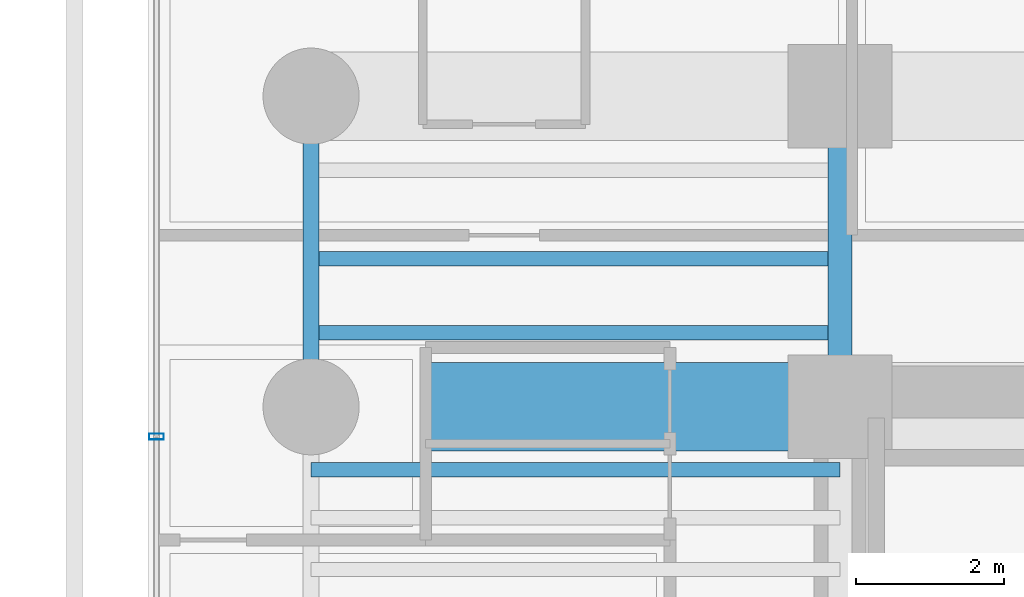
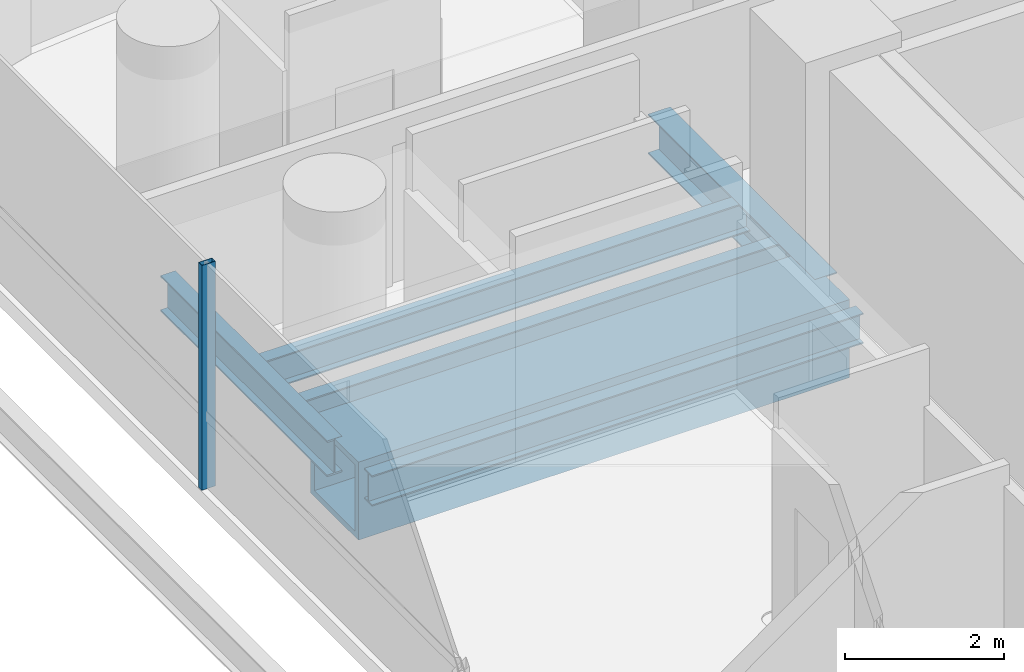
# One storey, part 11 of 50: 6 beams, 1 member, 1 element without a shape of its own.
"""IFC4 building model written with IfcOpenShell, lengths in metres."""

from ifc_helpers import new_model, si_unit, direction, frame, origin, origin_2d, place, context, subcontext, project, spatial, hollow_rectangle, i_section, extrude, source, transform, mapped, material, material_profile, profile_set, type_object, element, aggregate, save


model = new_model("IFC4")

# Units and contexts
model_context = context("Model", 3, precision=1e-05, world=origin(), true_north=direction((0.0, 1.0)))
body_context = subcontext(model_context, "Body", "Model", "MODEL_VIEW")
ifc_project = project(units=[si_unit("LENGTHUNIT", "METRE"), si_unit("AREAUNIT", "SQUARE_METRE"), si_unit("VOLUMEUNIT", "CUBIC_METRE"), si_unit("PLANEANGLEUNIT", "RADIAN"), si_unit("MASSUNIT", "GRAM", prefix="KILO")], contexts=[model_context])

# Site, building, storey
site_placement = place(None, origin())
site = spatial("IfcSite", under=ifc_project, at=site_placement, CompositionType="ELEMENT")
building_placement = place(site_placement, origin())
building = spatial("IfcBuilding", under=site, at=building_placement, Name="Valdorenza Pilgrim Sanctuary Tower", CompositionType="ELEMENT")
storey_placement = place(building_placement, frame((0.0, 0.0, 26.0)))
storey = spatial("IfcBuildingStorey", under=building, at=storey_placement, Name="L05", CompositionType="ELEMENT", Elevation=26.0)

# Beams
ifc_material_1 = material(Name="Steel ASTM A992 Grade 50", Category="steel")
ifc_material_profile_1 = material_profile(ifc_material_1, i_section(OverallWidth=0.214111328125, OverallDepth=0.549072265625, WebThickness=0.0146484375, FlangeThickness=0.023681640625, at=origin_2d()), Name="W21X93")
ifc_profile_set_1 = profile_set([ifc_material_profile_1], Name="Steel ASTM A992 Grade 50")
beam_type_1 = type_object("IfcBeamType", Name="STR-BM-SPN-W21A", PredefinedType="SPANDREL", material=ifc_profile_set_1)
shared_shape_1 = source(origin(), body_context, "Body", "SweptSolid", [
    extrude(i_section(OverallWidth=0.214111328125, OverallDepth=0.549072265625, WebThickness=0.0146484375, FlangeThickness=0.023681640625, at=origin_2d()), origin(), (0.0, 0.0, 1.0), 4.199951171875),
])
beam_1_placement = place(storey_placement, frame((-29.800048828125, 10.60009765625, -0.514404296875), z_axis=(0.0, 1.0, 0.0), x_axis=(-1.0, 0.0, 0.0)))
element("IfcBeam", 1, at=beam_1_placement, inside=storey, type_object=beam_type_1, Name="L05 Spandrel Beam WA-W-N1N2", PredefinedType="SPANDREL", context=body_context, shape_type="MappedRepresentation", body=[
    mapped(shared_shape_1, transform((0.0, 0.0, 0.0), x_axis=(1.0, 0.0, 0.0), y_axis=(0.0, 1.0, 0.0), z_axis=(0.0, 0.0, 1.0), scale=1.0)),
])
ifc_material_profile_2 = material_profile(ifc_material_1, i_section(OverallWidth=0.323974609375, OverallDepth=0.611083984375, WebThickness=0.0126953125, FlangeThickness=0.01904296875, at=origin_2d()), Name="W24X104")
ifc_profile_set_2 = profile_set([ifc_material_profile_2], Name="Steel ASTM A992 Grade 50")
beam_type_2 = type_object("IfcBeamType", Name="STR-BM-GRD-W24B", PredefinedType="BEAM", material=ifc_profile_set_2)
shared_shape_2 = source(origin(), body_context, "Body", "SweptSolid", [
    extrude(i_section(OverallWidth=0.323974609375, OverallDepth=0.611083984375, WebThickness=0.0126953125, FlangeThickness=0.01904296875, at=origin_2d()), origin(), (0.0, 0.0, 1.0), 4.199951171875),
])
beam_2_placement = place(storey_placement, frame((-22.64990234375, 10.60009765625, -0.54541015625), z_axis=(0.0, 1.0, 0.0), x_axis=(-1.0, 0.0, 0.0)))
element("IfcBeam", 2, at=beam_2_placement, inside=storey, type_object=beam_type_2, Name="L05 Core Tie Girder CA-W-N1N2", PredefinedType="BEAM", context=body_context, shape_type="MappedRepresentation", body=[
    mapped(shared_shape_2, transform((0.0, 0.0, 0.0), x_axis=(1.0, 0.0, 0.0), y_axis=(0.0, 1.0, 0.0), z_axis=(0.0, 0.0, 1.0), scale=1.0)),
])
ifc_material_profile_3 = material_profile(ifc_material_1, i_section(OverallWidth=0.193115234375, OverallDepth=0.466064453125, WebThickness=0.011474609375, FlangeThickness=0.01904296875, at=origin_2d()), Name="W18X65")
ifc_profile_set_3 = profile_set([ifc_material_profile_3], Name="Steel ASTM A992 Grade 50")
beam_type_3 = type_object("IfcBeamType", Name="STR-BM-JST-W18A", PredefinedType="JOIST", material=ifc_profile_set_3)
shared_shape_3 = source(origin(), body_context, "Body", "SweptSolid", [
    extrude(i_section(OverallWidth=0.193115234375, OverallDepth=0.466064453125, WebThickness=0.011474609375, FlangeThickness=0.01904296875, at=origin_2d()), origin(), (0.0, 0.0, 1.0), 7.150146484375),
])
for number, where, z_axis, x_axis, name in (
    (3, (-29.800048828125, 9.75, -0.472900390625), (1.0, 0.0, 0.0), (0.0, 1.0, 0.0), "L05 Composite Floor Joist JST-WA-23"),
    (4, (-29.800048828125, 11.60009765625, -0.472900390625), (1.0, 0.0, 0.0), (0.0, 1.0, 0.0), "L05 Composite Floor Joist JST-WA-24"),
    (5, (-29.800048828125, 12.60009765625, -0.472900390625), (1.0, 0.0, 0.0), (0.0, 1.0, 0.0), "L05 Composite Floor Joist JST-WA-25"),
):
    element("IfcBeam", number, at=place(storey_placement, frame(where, z_axis=z_axis, x_axis=x_axis)), inside=storey, type_object=beam_type_3, Name=name, PredefinedType="JOIST", context=body_context, shape_type="MappedRepresentation", body=[
        mapped(shared_shape_3, transform((0.0, 0.0, 0.0), x_axis=(1.0, 0.0, 0.0), y_axis=(0.0, 1.0, 0.0), z_axis=(0.0, 0.0, 1.0), scale=1.0)),
    ])
ifc_material_2 = material(Name="Steel ASTM A572 Grade 42", Category="steel")
ifc_material_profile_4 = material_profile(ifc_material_2, hollow_rectangle(XDim=1.199951171875, YDim=1.199951171875, WallThickness=0.090087890625, at=origin_2d()), Name="BOX 1200x1200x90")
ifc_profile_set_4 = profile_set([ifc_material_profile_4], Name="Steel ASTM A572 Grade 42")
beam_type_4 = type_object("IfcBeamType", Name="STR-BM-TRF-1200", PredefinedType="BEAM", material=ifc_profile_set_4)
shared_shape_4 = source(origin(), body_context, "Body", "SweptSolid", [
    extrude(hollow_rectangle(XDim=1.199951171875, YDim=1.199951171875, WallThickness=0.090087890625, at=origin_2d()), origin(), (0.0, 0.0, 1.0), 7.150146484375),
])
beam_3_placement = place(storey_placement, frame((-29.800048828125, 10.60009765625, -0.840087890625), z_axis=(1.0, 0.0, 0.0), x_axis=(0.0, 1.0, 0.0)))
element("IfcBeam", 6, at=beam_3_placement, inside=storey, type_object=beam_type_4, Name="L05 Transfer Girder WA-XW-N1", PredefinedType="BEAM", context=body_context, shape_type="MappedRepresentation", body=[
    mapped(shared_shape_4, transform((0.0, 0.0, 0.0), x_axis=(1.0, 0.0, 0.0), y_axis=(0.0, 1.0, 0.0), z_axis=(0.0, 0.0, 1.0), scale=1.0)),
])

# Curtain wall, member
ifc_material_3 = material(Name="Curtain-wall IGU glazing", Category="glass")
curtain_wall_type = type_object("IfcCurtainWallType", Name="CW-SYS-02", PredefinedType="NOTDEFINED", material=ifc_material_3)
curtain_wall_placement = place(storey_placement, origin())
curtain_wall = element("IfcCurtainWall", 7, at=curtain_wall_placement, inside=storey, type_object=curtain_wall_type, Name="L05 Curtain Wall CW-L05-1-1S2", PredefinedType="NOTDEFINED")
ifc_material_4 = material(Name="Anodised aluminium AW-6060", Category="aluminium")
ifc_material_profile_5 = material_profile(ifc_material_4, hollow_rectangle(XDim=0.0849609375, YDim=0.199951171875, WallThickness=0.0048828125, at=origin_2d()), Name="ALU-M 200x85x5")
ifc_profile_set_5 = profile_set([ifc_material_profile_5], Name="Anodised aluminium AW-6060")
member_type = type_object("IfcMemberType", Name="CW-MUL-02", PredefinedType="MULLION", material=ifc_profile_set_5)
shared_shape_5 = source(origin(), body_context, "Body", "SweptSolid", [
    extrude(hollow_rectangle(XDim=0.0849609375, YDim=0.199951171875, WallThickness=0.0048828125, at=origin_2d()), origin(), (0.0, 0.0, 1.0), 3.4599609375),
])
member_placement = place(storey_placement, frame((-31.889892578125, 10.19580078125, 0.0), z_axis=(0.0, 0.0, 1.0), x_axis=(0.0, 1.0, 0.0)))
member = element("IfcMember", 8, at=member_placement, type_object=member_type, Name="CW-L05-1-1S2 Mullion 3", PredefinedType="MULLION", context=body_context, shape_type="MappedRepresentation", body=[
    mapped(shared_shape_5, transform((0.0, 0.0, 0.0), x_axis=(1.0, 0.0, 0.0), y_axis=(0.0, 1.0, 0.0), z_axis=(0.0, 0.0, 1.0), scale=1.0)),
])
aggregate(curtain_wall, [member])

save(model, "model.ifc")
